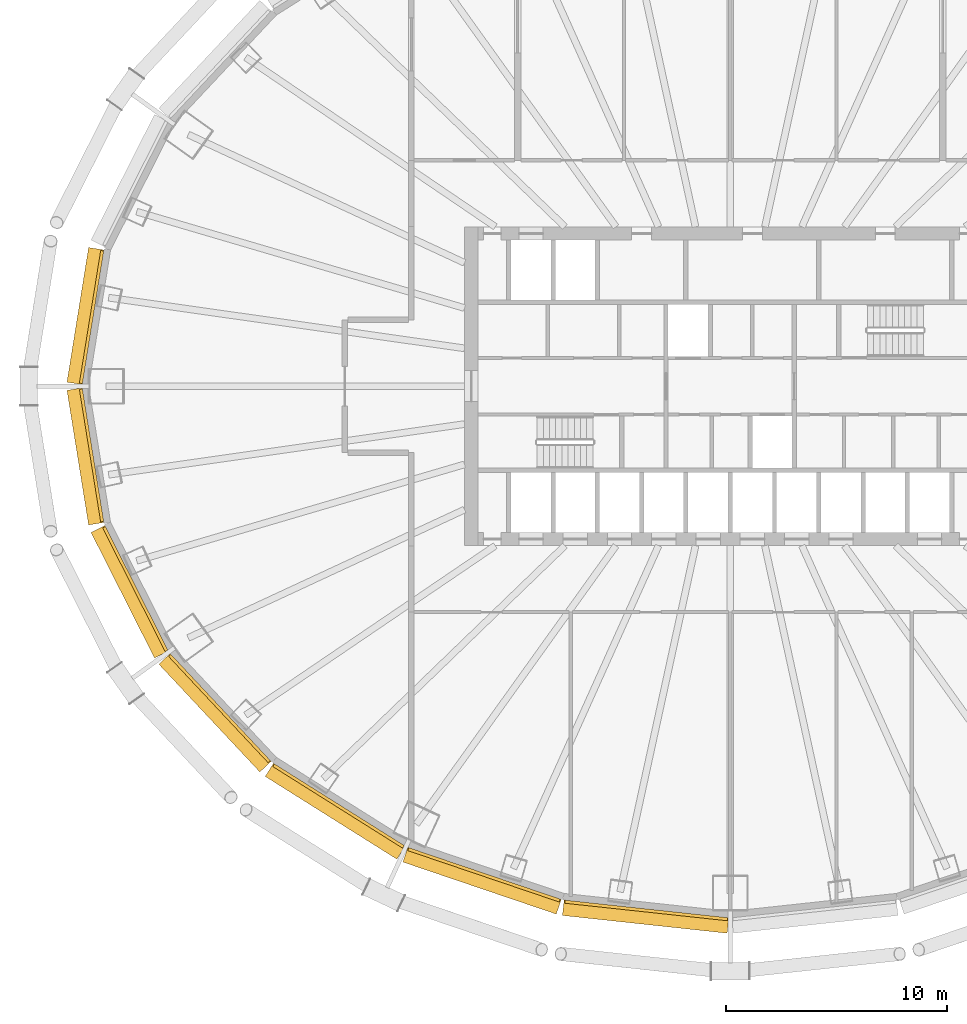
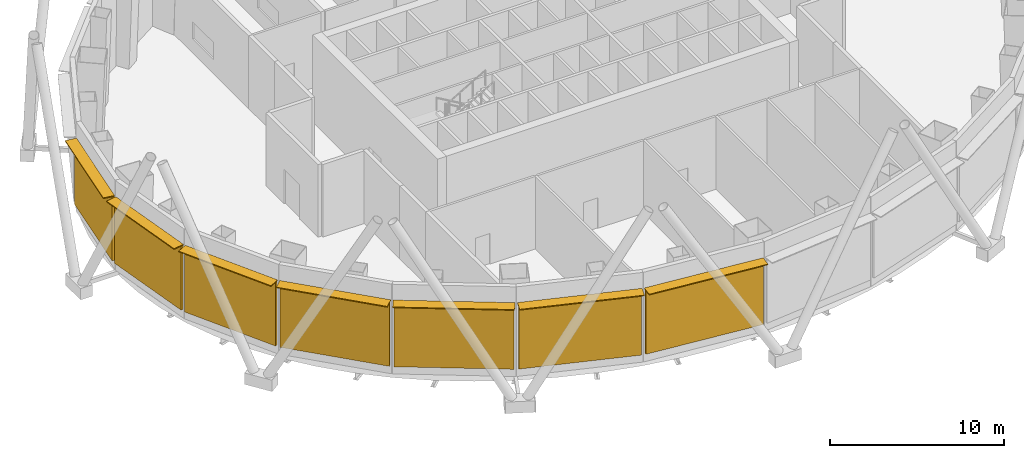
# One storey, part 10 of 13: 14 shading devices.
"""IFC4 building model written with IfcOpenShell, lengths in metres."""

from ifc_helpers import new_model, si_unit, direction, frame, origin, origin_2d, place, context, subcontext, project, spatial, rectangle, extrude, material, layer, layer_set, type_object, element, save


model = new_model("IFC4")

# Units and contexts
model_context = context("Model", 3, precision=1e-05, world=origin(), true_north=direction((0.0, 1.0)))
body_context = subcontext(model_context, "Body", "Model", "MODEL_VIEW")
ifc_project = project(units=[si_unit("LENGTHUNIT", "METRE"), si_unit("AREAUNIT", "SQUARE_METRE"), si_unit("VOLUMEUNIT", "CUBIC_METRE"), si_unit("PLANEANGLEUNIT", "RADIAN"), si_unit("MASSUNIT", "GRAM", prefix="KILO")], contexts=[model_context])

# Site, building, storey
site_placement = place(None, origin())
site = spatial("IfcSite", under=ifc_project, at=site_placement, CompositionType="ELEMENT")
building_placement = place(site_placement, origin())
building = spatial("IfcBuilding", under=site, at=building_placement, Name="Siaravel Broadcast Tower", CompositionType="ELEMENT")
storey_placement = place(building_placement, frame((0.0, 0.0, 7.0)))
storey = spatial("IfcBuildingStorey", under=building, at=storey_placement, Name="L01", CompositionType="ELEMENT", Elevation=7.0)

# Shading devices
ifc_material_1 = material(Name="Bronze anodised aluminium", Category="aluminium")
ifc_layer_1 = layer(ifc_material_1, 0.06005859375)
ifc_layer_set_1 = layer_set([ifc_layer_1], Name="Bronze anodised aluminium")
shading_device_type_1 = type_object("IfcShadingDeviceType", Name="Brise-soleil band", PredefinedType="USERDEFINED", material=ifc_layer_set_1)
for number, where, z_axis, x_axis, name in (
    (1, (-29.1201171875, 3.168701171875, 5.1298828125), (0.0, 0.0, 1.0), (-0.158685394, -0.987329198, 0.0), "L01 brise-soleil band 12"),
    (2, (-29.1201171875, -3.168701171875, 5.1298828125), (0.0, 0.0, 1.0), (0.158685394, -0.987329198, 0.0), "L01 brise-soleil band 13"),
):
    element("IfcShadingDevice", number, at=place(storey_placement, frame(where, z_axis=z_axis, x_axis=x_axis)), inside=storey, type_object=shading_device_type_1, Name=name, ObjectType="SUNSHADE", PredefinedType="USERDEFINED", context=body_context, shape_type="SweptSolid", body=[
        extrude(rectangle(XDim=6.15869140625, YDim=0.699951171875, at=origin_2d()), origin(), (0.0, 0.0, 1.0), 0.06005859375),
    ])
shading_device_1_placement = place(storey_placement, frame((-27.12060546875, -9.28271484375, 5.1298828125), z_axis=(0.0, 0.0, 1.0), x_axis=(0.451262289, -0.892391364, 0.0)))
element("IfcShadingDevice", 3, at=shading_device_1_placement, inside=storey, type_object=shading_device_type_1, Name="L01 brise-soleil band 14", ObjectType="SUNSHADE", PredefinedType="USERDEFINED", context=body_context, shape_type="SweptSolid", body=[
    extrude(rectangle(XDim=6.351318359375, YDim=0.699951171875, at=origin_2d()), origin(), (0.0, 0.0, 1.0), 0.06005859375),
])
shading_device_2_placement = place(storey_placement, frame((-23.26904296875, -14.748291015625, 5.1298828125), z_axis=(0.0, 0.0, 1.0), x_axis=(0.683655992, -0.729804415, 0.0)))
element("IfcShadingDevice", 4, at=shading_device_2_placement, inside=storey, type_object=shading_device_type_1, Name="L01 brise-soleil band 15", ObjectType="SUNSHADE", PredefinedType="USERDEFINED", context=body_context, shape_type="SweptSolid", body=[
    extrude(rectangle(XDim=6.672119140625, YDim=0.699951171875, at=origin_2d()), origin(), (0.0, 0.0, 1.0), 0.06005859375),
])
shading_device_3_placement = place(storey_placement, frame((-17.83984375, -19.1962890625, 5.1298828125), z_axis=(0.0, 0.0, 1.0), x_axis=(0.846650436, -0.532149452, 0.0)))
element("IfcShadingDevice", 5, at=shading_device_3_placement, inside=storey, type_object=shading_device_type_1, Name="L01 brise-soleil band 16", ObjectType="SUNSHADE", PredefinedType="USERDEFINED", context=body_context, shape_type="SweptSolid", body=[
    extrude(rectangle(XDim=7.0244140625, YDim=0.699951171875, at=origin_2d()), origin(), (0.0, 0.0, 1.0), 0.06005859375),
])
shading_device_4_placement = place(storey_placement, frame((-11.20751953125, -22.333251953125, 5.1298828125), z_axis=(0.0, 0.0, 1.0), x_axis=(0.946977245, -0.321300635, 0.0)))
element("IfcShadingDevice", 6, at=shading_device_4_placement, inside=storey, type_object=shading_device_type_1, Name="L01 brise-soleil band 17", ObjectType="SUNSHADE", PredefinedType="USERDEFINED", context=body_context, shape_type="SweptSolid", body=[
    extrude(rectangle(XDim=7.316162109375, YDim=0.699951171875, at=origin_2d()), origin(), (0.0, 0.0, 1.0), 0.06005859375),
])
shading_device_5_placement = place(storey_placement, frame((-3.8212890625, -23.95458984375, 5.1298828125), z_axis=(0.0, 0.0, 1.0), x_axis=(0.994235667, -0.107216783, 0.0)))
element("IfcShadingDevice", 7, at=shading_device_5_placement, inside=storey, type_object=shading_device_type_1, Name="L01 brise-soleil band 18", ObjectType="SUNSHADE", PredefinedType="USERDEFINED", context=body_context, shape_type="SweptSolid", body=[
    extrude(rectangle(XDim=7.4794921875, YDim=0.699951171875, at=origin_2d()), origin(), (0.0, 0.0, 1.0), 0.06005859375),
])
ifc_material_2 = material(Name="Precast concrete C40/50", Category="concrete")
ifc_layer_2 = layer(ifc_material_2, 0.139892578125)
ifc_layer_set_2 = layer_set([ifc_layer_2], Name="Precast concrete C40/50")
shading_device_type_2 = type_object("IfcShadingDeviceType", Name="Cobogo screen", PredefinedType="USERDEFINED", material=ifc_layer_set_2)
for number, where, z_axis, x_axis, name in (
    (8, (-28.843505859375, 3.124267578125, 0.60009765625), (0.0, 0.0, 1.0), (-0.158685394, -0.987329198, 0.0), "L01 cobogo screen 12"),
    (9, (-28.843505859375, -3.124267578125, 0.60009765625), (0.0, 0.0, 1.0), (0.158685394, -0.987329198, 0.0), "L01 cobogo screen 13"),
):
    element("IfcShadingDevice", number, at=place(storey_placement, frame(where, z_axis=z_axis, x_axis=x_axis)), inside=storey, type_object=shading_device_type_2, Name=name, ObjectType="SCREEN", PredefinedType="USERDEFINED", context=body_context, shape_type="SweptSolid", body=[
        extrude(rectangle(XDim=6.058837890625, YDim=0.139892578125, at=origin_2d()), origin(), (0.0, 0.0, 1.0), 4.5),
    ])
shading_device_6_placement = place(storey_placement, frame((-26.87060546875, -9.156494140625, 0.60009765625), z_axis=(0.0, 0.0, 1.0), x_axis=(0.451262289, -0.892391364, 0.0)))
element("IfcShadingDevice", 10, at=shading_device_6_placement, inside=storey, type_object=shading_device_type_2, Name="L01 cobogo screen 14", ObjectType="SCREEN", PredefinedType="USERDEFINED", context=body_context, shape_type="SweptSolid", body=[
    extrude(rectangle(XDim=6.25146484375, YDim=0.139892578125, at=origin_2d()), origin(), (0.0, 0.0, 1.0), 4.5),
])
shading_device_7_placement = place(storey_placement, frame((-23.064697265625, -14.556884765625, 0.60009765625), z_axis=(0.0, 0.0, 1.0), x_axis=(0.683655992, -0.729804415, 0.0)))
element("IfcShadingDevice", 11, at=shading_device_7_placement, inside=storey, type_object=shading_device_type_2, Name="L01 cobogo screen 15", ObjectType="SCREEN", PredefinedType="USERDEFINED", context=body_context, shape_type="SweptSolid", body=[
    extrude(rectangle(XDim=6.572021484375, YDim=0.139892578125, at=origin_2d()), origin(), (0.0, 0.0, 1.0), 4.5),
])
shading_device_8_placement = place(storey_placement, frame((-17.69091796875, -18.958984375, 0.60009765625), z_axis=(0.0, 0.0, 1.0), x_axis=(0.846650436, -0.532149452, 0.0)))
element("IfcShadingDevice", 12, at=shading_device_8_placement, inside=storey, type_object=shading_device_type_2, Name="L01 cobogo screen 16", ObjectType="SCREEN", PredefinedType="USERDEFINED", context=body_context, shape_type="SweptSolid", body=[
    extrude(rectangle(XDim=6.924560546875, YDim=0.139892578125, at=origin_2d()), origin(), (0.0, 0.0, 1.0), 4.5),
])
shading_device_9_placement = place(storey_placement, frame((-11.117431640625, -22.068115234375, 0.60009765625), z_axis=(0.0, 0.0, 1.0), x_axis=(0.946977245, -0.321300635, 0.0)))
element("IfcShadingDevice", 13, at=shading_device_9_placement, inside=storey, type_object=shading_device_type_2, Name="L01 cobogo screen 17", ObjectType="SCREEN", PredefinedType="USERDEFINED", context=body_context, shape_type="SweptSolid", body=[
    extrude(rectangle(XDim=7.21630859375, YDim=0.139892578125, at=origin_2d()), origin(), (0.0, 0.0, 1.0), 4.5),
])
shading_device_10_placement = place(storey_placement, frame((-3.791259765625, -23.676025390625, 0.60009765625), z_axis=(0.0, 0.0, 1.0), x_axis=(0.994235667, -0.107216783, 0.0)))
element("IfcShadingDevice", 14, at=shading_device_10_placement, inside=storey, type_object=shading_device_type_2, Name="L01 cobogo screen 18", ObjectType="SCREEN", PredefinedType="USERDEFINED", context=body_context, shape_type="SweptSolid", body=[
    extrude(rectangle(XDim=7.379638671875, YDim=0.139892578125, at=origin_2d()), origin(), (0.0, 0.0, 1.0), 4.5),
])

save(model, "model.ifc")
